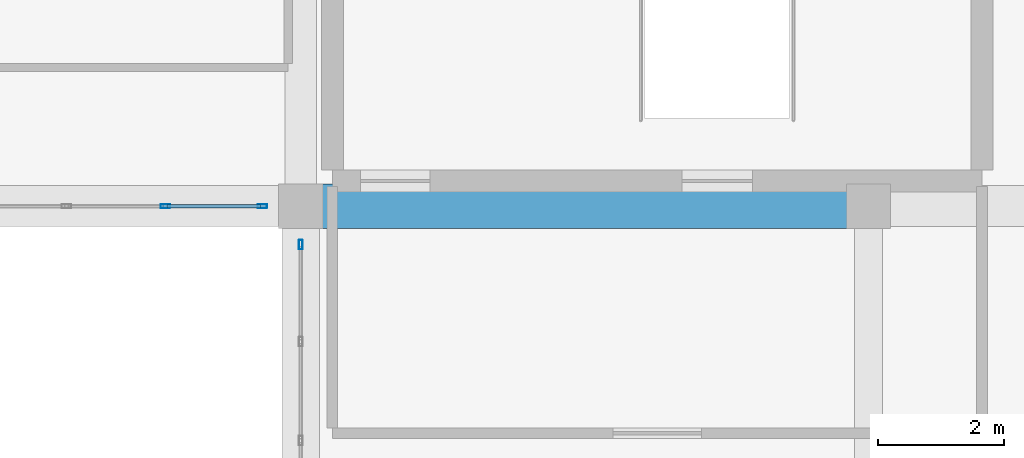
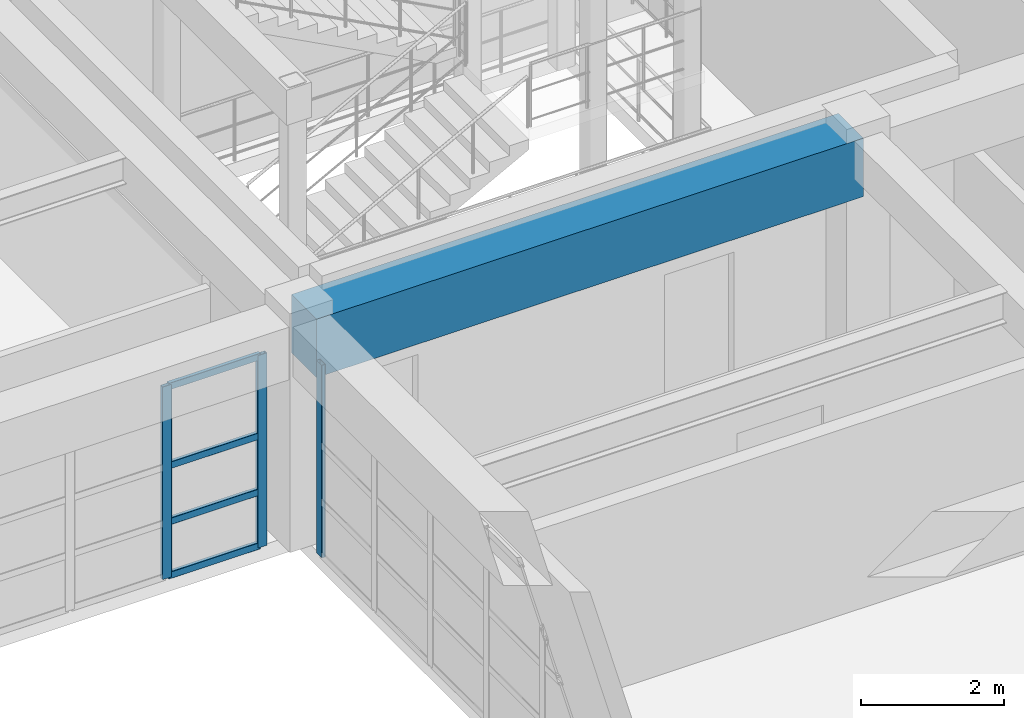
# One storey, part 68 of 130: 7 members, 1 beam, 2 elements without a shape of their own.
"""IFC4 building model written with IfcOpenShell, lengths in metres."""

import ifcopenshell
import ifcopenshell.guid

model = None  # the IFC model being written
_history = None  # IfcOwnerHistory: only IFC2X3 demands one
_inside = {}  # id of a spatial element -> (the spatial element, [elements in it])
_under = {}  # id of a project, library or spatial element -> (it, [spatial elements below it])
_declared = {}  # id of a project -> (the project, [libraries it declares])
_typed = {}  # id of a type object -> (the type object, [elements of that type])
_made_of = {}  # id of a material, layer set ... -> (it, [elements and type objects made of it])


def new_model(schema):
    """Start an empty IFC model of exactly this schema.

    Asked for "IFC4X3", IfcOpenShell would pick the latest addendum, in which some entities
    have other attributes; the version numbers below select the first issue.
    IFC2X3 requires an IfcOwnerHistory on every rooted entity: one is made here for all.
    """
    global model, _history
    if schema == "IFC4X3":
        model = ifcopenshell.file(schema_version=(4, 3, 0, 0))
    else:
        model = ifcopenshell.file(schema=schema)
    _inside.clear()
    _under.clear()
    _declared.clear()
    _typed.clear()
    _made_of.clear()
    _history = None
    if model.schema == "IFC2X3":
        org = make("IfcOrganization", Name="unknown")
        user = make(
            "IfcPersonAndOrganization",
            ThePerson=make("IfcPerson", FamilyName="unknown"),
            TheOrganization=org,
        )
        app = make(
            "IfcApplication",
            ApplicationDeveloper=org,
            Version="unknown",
            ApplicationFullName="unknown",
            ApplicationIdentifier="unknown",
        )
        _history = make(
            "IfcOwnerHistory",
            OwningUser=user,
            OwningApplication=app,
            ChangeAction="ADDED",
            CreationDate=0,
        )
    return model


def make(cls, **values):
    """One entity of the class cls with the attributes given. An attribute that is None is left unset."""
    return model.create_entity(
        cls, **{name: value for name, value in values.items() if value is not None}
    )


def rooted(cls, **values):
    """An entity with a GlobalId (a new one), such as an element, a storey or a relation."""
    return make(cls, GlobalId=ifcopenshell.guid.new(), OwnerHistory=_history, **values)


def si_unit(unit_type, name, prefix=None):
    """IfcSIUnit, for example si_unit("LENGTHUNIT", "METRE", prefix="MILLI")."""
    return make("IfcSIUnit", UnitType=unit_type, Prefix=prefix, Name=name)


def assignment(units):
    """IfcUnitAssignment: the units of a project."""
    return None if units is None else make("IfcUnitAssignment", Units=units)


def point(xyz):
    """IfcCartesianPoint."""
    return None if xyz is None else make("IfcCartesianPoint", Coordinates=xyz)


def direction(xyz):
    """IfcDirection."""
    return None if xyz is None else make("IfcDirection", DirectionRatios=xyz)


def frame(location, z_axis=None, x_axis=None):
    """IfcAxis2Placement3D, a coordinate frame: its origin and axes. An axis left out is left unset."""
    return make(
        "IfcAxis2Placement3D",
        Location=point(location),
        Axis=direction(z_axis),
        RefDirection=direction(x_axis),
    )


def frame_2d(location, x_axis=None):
    """IfcAxis2Placement2D, a coordinate frame in the plane: its origin and x axis."""
    return make(
        "IfcAxis2Placement2D", Location=point(location), RefDirection=direction(x_axis)
    )


def origin():
    """The frame at (0, 0, 0) with its axes left unset."""
    return frame((0.0, 0.0, 0.0))


def origin_2d():
    """The frame at (0, 0) in the plane with its x axis left unset."""
    return frame_2d((0.0, 0.0))


def place(relative_to, where):
    """IfcLocalPlacement: puts the frame where relative to a parent placement (None: the world)."""
    return make(
        "IfcLocalPlacement", PlacementRelTo=relative_to, RelativePlacement=where
    )


def context(
    kind, dimensions, precision=None, world=None, true_north=None, identifier=None
):
    """IfcGeometricRepresentationContext, for example the 3D "Model" context."""
    return make(
        "IfcGeometricRepresentationContext",
        ContextIdentifier=identifier,
        ContextType=kind,
        CoordinateSpaceDimension=dimensions,
        Precision=precision,
        WorldCoordinateSystem=world,
        TrueNorth=true_north,
    )


def subcontext(parent, identifier, kind, view, scale=None):
    """IfcGeometricRepresentationSubContext, for example "Body" below "Model"."""
    return make(
        "IfcGeometricRepresentationSubContext",
        ContextIdentifier=identifier,
        ContextType=kind,
        ParentContext=parent,
        TargetScale=scale,
        TargetView=view,
    )


def project(units=None, contexts=None):
    """IfcProject with its units and contexts."""
    return rooted(
        "IfcProject",
        Name="project",
        RepresentationContexts=contexts,
        UnitsInContext=assignment(units),
    )


def spatial(cls, under=None, at=None, **own):
    """A site, building, storey or space (cls), placed at a placement, below another one or the project."""
    s = rooted(cls, ObjectPlacement=at, **own)
    if under is not None:
        _under.setdefault(under.id(), (under, []))[1].append(s)
    return s


def profile(cls, at=None, kind="AREA", **sizes):
    """A parametric profile (cls). Its sizes go by their IFC names, for example OverallWidth=200.0."""
    return make(cls, ProfileType=kind, Position=at, **sizes)


def rectangle(**sizes):
    """IfcRectangleProfileDef."""
    return profile("IfcRectangleProfileDef", **sizes)


def hollow_rectangle(**sizes):
    """IfcRectangleHollowProfileDef."""
    return profile("IfcRectangleHollowProfileDef", **sizes)


def extrude(swept, where, along, depth):
    """IfcExtrudedAreaSolid: the profile swept, set in the frame where, extruded along a direction by depth."""
    return make(
        "IfcExtrudedAreaSolid",
        SweptArea=swept,
        Position=where,
        ExtrudedDirection=direction(along),
        Depth=depth,
    )


def shape(context_of_items, identifier, shape_type, items):
    """IfcShapeRepresentation: the items that make up one representation, for example the "Body"."""
    return make(
        "IfcShapeRepresentation",
        ContextOfItems=context_of_items,
        RepresentationIdentifier=identifier,
        RepresentationType=shape_type,
        Items=items,
    )


def material(Name=None, Category=None):
    """IfcMaterial."""
    return make("IfcMaterial", Name=Name, Category=Category)


def material_profile(
    of_material, cross_section, Name=None, Category=None, Priority=None
):
    """IfcMaterialProfile: a cross section and its material."""
    return make(
        "IfcMaterialProfile",
        Name=Name,
        Material=of_material,
        Profile=cross_section,
        Priority=Priority,
        Category=Category,
    )


def profile_set(profiles, Name=None, composite=None):
    """IfcMaterialProfileSet."""
    return make(
        "IfcMaterialProfileSet",
        Name=Name,
        MaterialProfiles=profiles,
        CompositeProfile=composite,
    )


def made_of(thing, what):
    """Note that an element or type object is made of a material, layer set ...; save() writes the relation."""
    if what is not None:
        _made_of.setdefault(what.id(), (what, []))[1].append(thing)
    return thing


def type_object(cls, material=None, **own):
    """A type object (cls), such as IfcWallType, which elements share."""
    return made_of(rooted(cls, **own), material)


def element(
    cls,
    number,
    at=None,
    inside=None,
    cuts=None,
    type_object=None,
    material=None,
    context=None,
    identifier="Body",
    shape_type=None,
    held_by="IfcProductDefinitionShape",
    body=None,
    shapes=None,
    **own,
):
    """One element of the class cls, such as IfcWall. Its Tag is "e" and its number.

    at: its placement. inside: the storey or other place that contains it. cuts: it is an
    opening in that element (IfcRelVoidsElement). A single representation is given by context,
    identifier, shape_type and body (its items); several are given by shapes. held_by: the class
    of the entity that holds the representations. save() writes the other relations.
    """
    e = rooted(cls, Tag="e%d" % number, ObjectPlacement=at, **own)
    if body is not None:
        shapes = [shape(context, identifier, shape_type, body)]
    if shapes is not None:
        e.Representation = make(held_by, Representations=shapes)
    if inside is not None:
        _inside.setdefault(inside.id(), (inside, []))[1].append(e)
    if cuts is not None:
        rooted(
            "IfcRelVoidsElement", RelatingBuildingElement=cuts, RelatedOpeningElement=e
        )
    if type_object is not None:
        _typed.setdefault(type_object.id(), (type_object, []))[1].append(e)
    return made_of(e, material)


def aggregate(whole, parts):
    """IfcRelAggregates: a whole, such as a stair, and the parts it consists of."""
    return rooted("IfcRelAggregates", RelatingObject=whole, RelatedObjects=parts)


def save(model, path):
    """Write the relations noted so far, then the file.

    IfcRelAggregates (storeys below a building ...), IfcRelContainedInSpatialStructure (elements
    in a storey), IfcRelDefinesByType, IfcRelAssociatesMaterial and IfcRelDeclares: one each for
    every whole, place, type object, material and project.
    """
    for whole, parts in _under.values():
        aggregate(whole, parts)
    for where, things in _inside.values():
        rooted(
            "IfcRelContainedInSpatialStructure",
            RelatedElements=things,
            RelatingStructure=where,
        )
    for kind, things in _typed.values():
        rooted("IfcRelDefinesByType", RelatedObjects=things, RelatingType=kind)
    for what, things in _made_of.values():
        rooted("IfcRelAssociatesMaterial", RelatedObjects=things, RelatingMaterial=what)
    for by, libraries in _declared.values():
        rooted("IfcRelDeclares", RelatingContext=by, RelatedDefinitions=libraries)
    model.write(path)


model = new_model("IFC4")

# Units and contexts
model_context = context("Model", 3, precision=1e-05, world=origin(), true_north=direction((0.0, 1.0)))
body_context = subcontext(model_context, "Body", "Model", "MODEL_VIEW")
ifc_project = project(units=[si_unit("LENGTHUNIT", "METRE"), si_unit("AREAUNIT", "SQUARE_METRE"), si_unit("VOLUMEUNIT", "CUBIC_METRE"), si_unit("PLANEANGLEUNIT", "RADIAN"), si_unit("MASSUNIT", "GRAM", prefix="KILO")], contexts=[model_context])

# Site, building, storey
site_placement = place(None, origin())
site = spatial("IfcSite", under=ifc_project, at=site_placement, CompositionType="ELEMENT")
building_placement = place(site_placement, origin())
building = spatial("IfcBuilding", under=site, at=building_placement, Name="Miravela Opera House", CompositionType="ELEMENT")
storey_placement = place(building_placement, frame((0.0, 0.0, 9.52001953125)))
storey = spatial("IfcBuildingStorey", under=building, at=storey_placement, Name="L02", CompositionType="ELEMENT", Elevation=9.52001953125)

# Curtain wall, members
ifc_material_1 = material(Name="Anodised architectural bronze aluminium 6063-T6", Category="aluminium")
curtain_wall_type = type_object("IfcCurtainWallType", Name="ARC-CW-05", PredefinedType="NOTDEFINED", material=ifc_material_1)
curtain_wall_1_placement = place(storey_placement, origin())
curtain_wall_1 = element("IfcCurtainWall", 1, at=curtain_wall_1_placement, inside=storey, type_object=curtain_wall_type, Name="Courtyard Arcade Curtain Wall CW-L02-096", PredefinedType="NOTDEFINED")
ifc_material_profile_1 = material_profile(ifc_material_1, hollow_rectangle(XDim=0.06005859375, YDim=0.14990234375, WallThickness=0.00390625, InnerFilletRadius=0.001953125, OuterFilletRadius=0.00390625, at=origin_2d()), Name="CWM-60X150")
ifc_profile_set_1 = profile_set([ifc_material_profile_1])
member_type_1 = type_object("IfcMemberType", Name="ARC-CWM-150", PredefinedType="MULLION", material=ifc_profile_set_1)
member_1_placement = place(storey_placement, frame((60.85205078125, 103.0, 0.0), z_axis=(0.0, 0.0, 1.0), x_axis=(0.0, 1.0, 0.0)))
member_1 = element("IfcMember", 2, at=member_1_placement, type_object=member_type_1, Name="CW-05 mullion 5", PredefinedType="MULLION", context=body_context, shape_type="SweptSolid", body=[
    extrude(hollow_rectangle(XDim=0.06005859375, YDim=0.14990234375, WallThickness=0.00390625, InnerFilletRadius=0.001953125, OuterFilletRadius=0.00390625, at=origin_2d()), origin(), (0.0, 0.0, 1.0), 3.2900390625),
])
member_2_placement = place(storey_placement, frame((62.389892578125, 103.0, 0.0), z_axis=(0.0, 0.0, 1.0), x_axis=(0.0, 1.0, 0.0)))
member_2 = element("IfcMember", 3, at=member_2_placement, type_object=member_type_1, Name="CW-05 mullion 6", PredefinedType="MULLION", context=body_context, shape_type="SweptSolid", body=[
    extrude(hollow_rectangle(XDim=0.06005859375, YDim=0.14990234375, WallThickness=0.00390625, InnerFilletRadius=0.001953125, OuterFilletRadius=0.00390625, at=origin_2d()), origin(), (0.0, 0.0, 1.0), 3.2900390625),
])

# Curtain wall, member
curtain_wall_2_placement = place(storey_placement, origin())
curtain_wall_2 = element("IfcCurtainWall", 4, at=curtain_wall_2_placement, inside=storey, type_object=curtain_wall_type, Name="Courtyard Arcade Curtain Wall CW-L02-100", PredefinedType="NOTDEFINED")
member_3_placement = place(storey_placement, frame((63.0, 102.389892578125, 0.0), z_axis=(0.0, 0.0, 1.0), x_axis=(-1.0, 0.0, 0.0)))
member_3 = element("IfcMember", 5, at=member_3_placement, type_object=member_type_1, Name="CW-05 mullion 6", PredefinedType="MULLION", context=body_context, shape_type="SweptSolid", body=[
    extrude(hollow_rectangle(XDim=0.06005859375, YDim=0.14990234375, WallThickness=0.00390625, InnerFilletRadius=0.001953125, OuterFilletRadius=0.00390625, at=origin_2d()), origin(), (0.0, 0.0, 1.0), 3.2900390625),
])
aggregate(curtain_wall_2, [member_3])

# Member
ifc_material_profile_2 = material_profile(ifc_material_1, hollow_rectangle(XDim=0.06005859375, YDim=0.114990234375, WallThickness=0.00390625, InnerFilletRadius=0.001953125, OuterFilletRadius=0.00390625, at=origin_2d()), Name="CWT-60X115")
ifc_profile_set_2 = profile_set([ifc_material_profile_2])
member_type_2 = type_object("IfcMemberType", Name="ARC-CWT-115", PredefinedType="USERDEFINED", material=ifc_profile_set_2)
member_4_placement = place(storey_placement, frame((60.882080078125, 103.0, 0.030029296875), z_axis=(1.0, 0.0, 0.0), x_axis=(0.0, 1.0, 0.0)))
member_4 = element("IfcMember", 6, at=member_4_placement, type_object=member_type_2, Name="CW-05 transom 5.1", ObjectType="TRANSOM", PredefinedType="USERDEFINED", context=body_context, shape_type="SweptSolid", body=[
    extrude(hollow_rectangle(XDim=0.06005859375, YDim=0.114990234375, WallThickness=0.00390625, InnerFilletRadius=0.001953125, OuterFilletRadius=0.00390625, at=origin_2d()), origin(), (0.0, 0.0, 1.0), 1.47802734375),
])

member_5_placement = place(storey_placement, frame((60.882080078125, 103.0, 0.949951171875), z_axis=(1.0, 0.0, 0.0), x_axis=(0.0, 1.0, 0.0)))
member_5 = element("IfcMember", 7, at=member_5_placement, type_object=member_type_2, Name="CW-05 transom 5.2", ObjectType="TRANSOM", PredefinedType="USERDEFINED", context=body_context, shape_type="SweptSolid", body=[
    extrude(hollow_rectangle(XDim=0.06005859375, YDim=0.114990234375, WallThickness=0.00390625, InnerFilletRadius=0.001953125, OuterFilletRadius=0.00390625, at=origin_2d()), origin(), (0.0, 0.0, 1.0), 1.47802734375),
])

member_6_placement = place(storey_placement, frame((60.882080078125, 103.0, 1.908203125), z_axis=(1.0, 0.0, 0.0), x_axis=(0.0, 1.0, 0.0)))
member_6 = element("IfcMember", 8, at=member_6_placement, type_object=member_type_2, Name="CW-05 transom 5.3", ObjectType="TRANSOM", PredefinedType="USERDEFINED", context=body_context, shape_type="SweptSolid", body=[
    extrude(hollow_rectangle(XDim=0.06005859375, YDim=0.114990234375, WallThickness=0.00390625, InnerFilletRadius=0.001953125, OuterFilletRadius=0.00390625, at=origin_2d()), origin(), (0.0, 0.0, 1.0), 1.47802734375),
])

member_7_placement = place(storey_placement, frame((60.882080078125, 103.0, 3.260009765625), z_axis=(1.0, 0.0, 0.0), x_axis=(0.0, 1.0, 0.0)))
member_7 = element("IfcMember", 9, at=member_7_placement, type_object=member_type_2, Name="CW-05 transom 5.4", ObjectType="TRANSOM", PredefinedType="USERDEFINED", context=body_context, shape_type="SweptSolid", body=[
    extrude(hollow_rectangle(XDim=0.06005859375, YDim=0.114990234375, WallThickness=0.00390625, InnerFilletRadius=0.001953125, OuterFilletRadius=0.00390625, at=origin_2d()), origin(), (0.0, 0.0, 1.0), 1.47802734375),
])

aggregate(curtain_wall_1, [member_1, member_2, member_4, member_5, member_6, member_7])

# Beam
ifc_material_2 = material(Name="Concrete C40/50", Category="concrete")
ifc_material_profile_3 = material_profile(ifc_material_2, rectangle(XDim=0.699951171875, YDim=1.0, at=origin_2d()), Name="RC-BM-700X1000")
ifc_profile_set_3 = profile_set([ifc_material_profile_3])
beam_type = type_object("IfcBeamType", Name="STR-BM-RC700X1000", PredefinedType="BEAM", material=ifc_profile_set_3)
beam_placement = place(storey_placement, frame((63.080078125, 103.0, 3.340087890625), z_axis=(1.0, 0.0, 0.0), x_axis=(0.0, 1.0, 0.0)))
element("IfcBeam", 10, at=beam_placement, inside=storey, type_object=beam_type, Name="Floor Girder L02 8-9/L", PredefinedType="BEAM", context=body_context, shape_type="SweptSolid", body=[
    extrude(rectangle(XDim=0.699951171875, YDim=1.0, at=origin_2d()), origin(), (0.0, 0.0, 1.0), 8.83984375),
])

save(model, "model.ifc")
